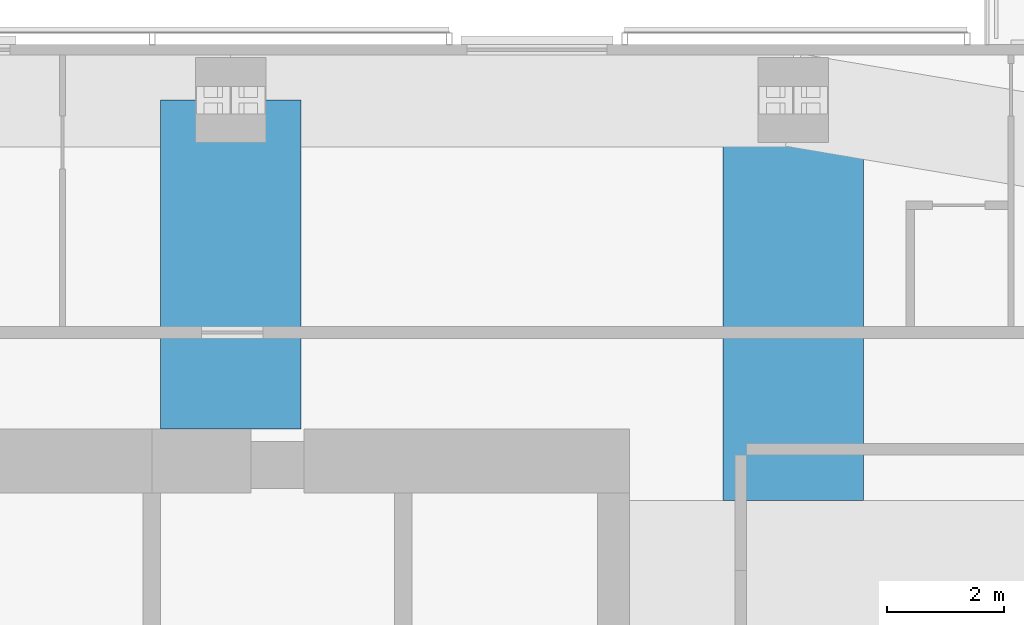
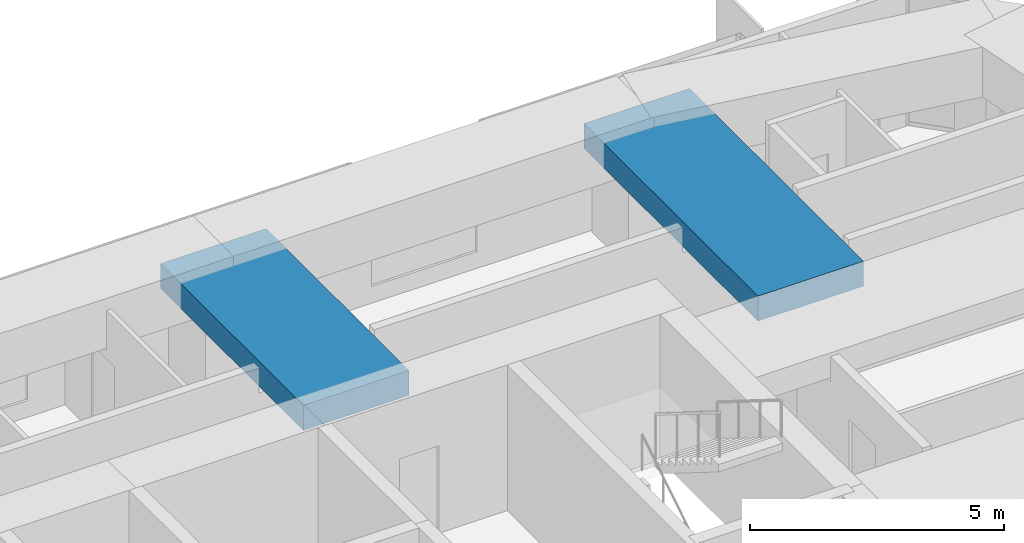
# One storey, part 6 of 18: 2 beams.
"""IFC4 building model written with IfcOpenShell, lengths in metres."""

from ifc_helpers import new_model, si_unit, direction, frame, origin, origin_2d, place, context, subcontext, project, spatial, rectangle, extrude, material, material_profile, profile_set, type_object, element, save


model = new_model("IFC4")

# Units and contexts
model_context = context("Model", 3, precision=1e-05, world=origin(), true_north=direction((0.0, 1.0)))
body_context = subcontext(model_context, "Body", "Model", "MODEL_VIEW")
ifc_project = project(units=[si_unit("LENGTHUNIT", "METRE"), si_unit("AREAUNIT", "SQUARE_METRE"), si_unit("VOLUMEUNIT", "CUBIC_METRE"), si_unit("PLANEANGLEUNIT", "RADIAN"), si_unit("MASSUNIT", "GRAM", prefix="KILO")], contexts=[model_context])

# Site, building, storey
site_placement = place(None, origin())
site = spatial("IfcSite", under=ifc_project, at=site_placement, CompositionType="ELEMENT")
building_placement = place(site_placement, origin())
building = spatial("IfcBuilding", under=site, at=building_placement, Name="Jalousie Tower", CompositionType="ELEMENT")
storey_placement = place(building_placement, frame((0.0, 0.0, 256.449951171875)))
storey = spatial("IfcBuildingStorey", under=building, at=storey_placement, Name="L70", CompositionType="ELEMENT", Elevation=256.449951171875)

# Beams
ifc_material = material(Name="Concrete f'c 40 MPa", Category="concrete")
ifc_material_profile = material_profile(ifc_material, rectangle(XDim=2.39990234375, YDim=0.60009765625, at=origin_2d()), Name="RC 2400x600")
ifc_profile_set = profile_set([ifc_material_profile], Name="Concrete f'c 40 MPa")
beam_type = type_object("IfcBeamType", Name="RC BEAM 2400x600", PredefinedType="BEAM", material=ifc_profile_set)
beam_1_placement = place(storey_placement, frame((37.25, 33.050048828125, 2.9599609375), z_axis=(0.0, -1.0, 0.0), x_axis=(1.0, 0.0, 0.0)))
element("IfcBeam", 1, at=beam_1_placement, inside=storey, type_object=beam_type, Name="Floor band beam under L71", PredefinedType="BEAM", context=body_context, shape_type="SweptSolid", body=[
    extrude(rectangle(XDim=2.39990234375, YDim=0.60009765625, at=origin_2d()), origin(), (0.0, 0.0, 1.0), 5.625),
])
beam_2_placement = place(storey_placement, frame((46.875, 33.050048828125, 2.9599609375), z_axis=(0.0, -1.0, 0.0), x_axis=(1.0, 0.0, 0.0)))
element("IfcBeam", 2, at=beam_2_placement, inside=storey, type_object=beam_type, Name="Floor band beam under L71", PredefinedType="BEAM", context=body_context, shape_type="SweptSolid", body=[
    extrude(rectangle(XDim=2.39990234375, YDim=0.60009765625, at=origin_2d()), origin(), (0.0, 0.0, 1.0), 6.85009765625),
])

save(model, "model.ifc")
